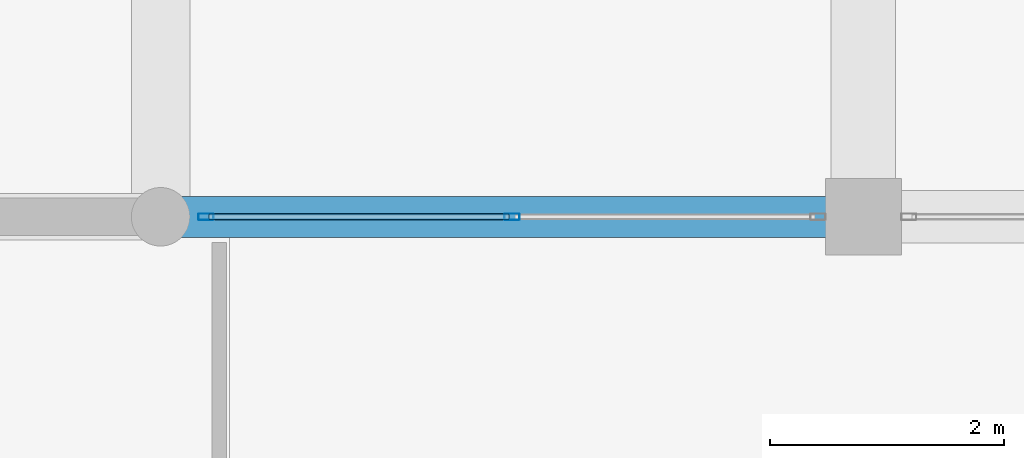
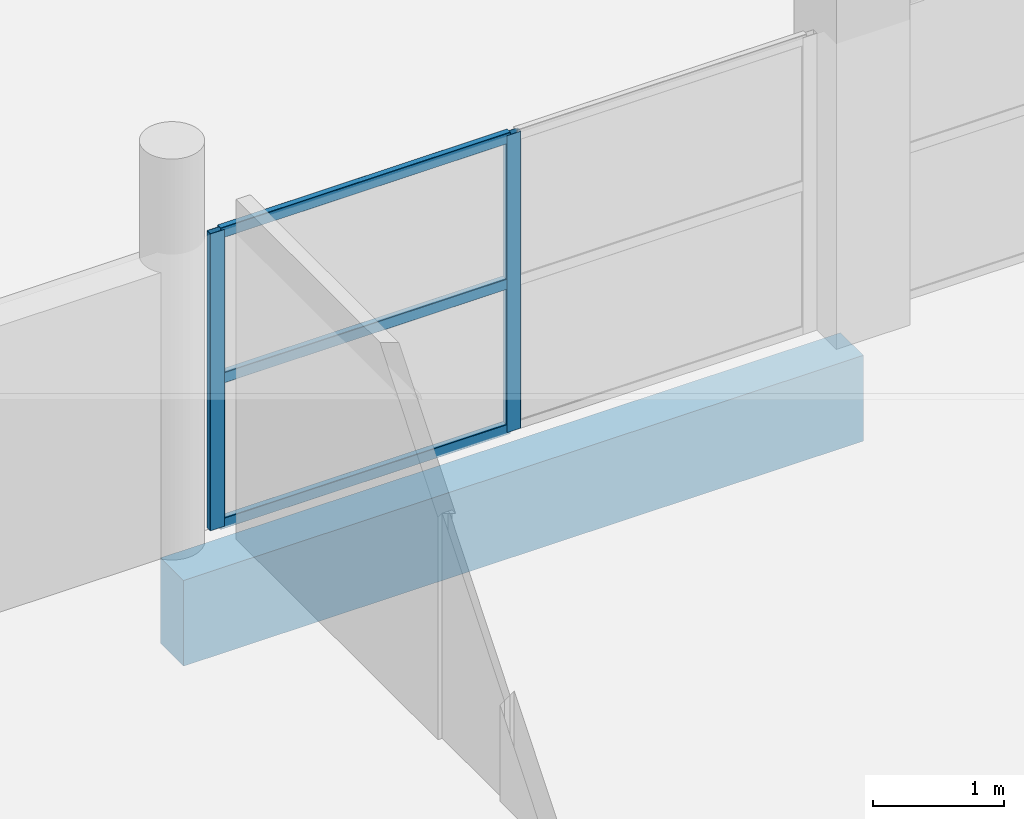
# One storey, part 2 of 19: 5 members, 1 beam, 1 element without a shape of its own.
"""IFC4 building model written with IfcOpenShell, lengths in metres."""

import ifcopenshell
import ifcopenshell.guid

model = None  # the IFC model being written
_history = None  # IfcOwnerHistory: only IFC2X3 demands one
_inside = {}  # id of a spatial element -> (the spatial element, [elements in it])
_under = {}  # id of a project, library or spatial element -> (it, [spatial elements below it])
_declared = {}  # id of a project -> (the project, [libraries it declares])
_typed = {}  # id of a type object -> (the type object, [elements of that type])
_made_of = {}  # id of a material, layer set ... -> (it, [elements and type objects made of it])


def new_model(schema):
    """Start an empty IFC model of exactly this schema.

    Asked for "IFC4X3", IfcOpenShell would pick the latest addendum, in which some entities
    have other attributes; the version numbers below select the first issue.
    IFC2X3 requires an IfcOwnerHistory on every rooted entity: one is made here for all.
    """
    global model, _history
    if schema == "IFC4X3":
        model = ifcopenshell.file(schema_version=(4, 3, 0, 0))
    else:
        model = ifcopenshell.file(schema=schema)
    _inside.clear()
    _under.clear()
    _declared.clear()
    _typed.clear()
    _made_of.clear()
    _history = None
    if model.schema == "IFC2X3":
        org = make("IfcOrganization", Name="unknown")
        user = make(
            "IfcPersonAndOrganization",
            ThePerson=make("IfcPerson", FamilyName="unknown"),
            TheOrganization=org,
        )
        app = make(
            "IfcApplication",
            ApplicationDeveloper=org,
            Version="unknown",
            ApplicationFullName="unknown",
            ApplicationIdentifier="unknown",
        )
        _history = make(
            "IfcOwnerHistory",
            OwningUser=user,
            OwningApplication=app,
            ChangeAction="ADDED",
            CreationDate=0,
        )
    return model


def make(cls, **values):
    """One entity of the class cls with the attributes given. An attribute that is None is left unset."""
    return model.create_entity(
        cls, **{name: value for name, value in values.items() if value is not None}
    )


def rooted(cls, **values):
    """An entity with a GlobalId (a new one), such as an element, a storey or a relation."""
    return make(cls, GlobalId=ifcopenshell.guid.new(), OwnerHistory=_history, **values)


def si_unit(unit_type, name, prefix=None):
    """IfcSIUnit, for example si_unit("LENGTHUNIT", "METRE", prefix="MILLI")."""
    return make("IfcSIUnit", UnitType=unit_type, Prefix=prefix, Name=name)


def assignment(units):
    """IfcUnitAssignment: the units of a project."""
    return None if units is None else make("IfcUnitAssignment", Units=units)


def point(xyz):
    """IfcCartesianPoint."""
    return None if xyz is None else make("IfcCartesianPoint", Coordinates=xyz)


def direction(xyz):
    """IfcDirection."""
    return None if xyz is None else make("IfcDirection", DirectionRatios=xyz)


def frame(location, z_axis=None, x_axis=None):
    """IfcAxis2Placement3D, a coordinate frame: its origin and axes. An axis left out is left unset."""
    return make(
        "IfcAxis2Placement3D",
        Location=point(location),
        Axis=direction(z_axis),
        RefDirection=direction(x_axis),
    )


def frame_2d(location, x_axis=None):
    """IfcAxis2Placement2D, a coordinate frame in the plane: its origin and x axis."""
    return make(
        "IfcAxis2Placement2D", Location=point(location), RefDirection=direction(x_axis)
    )


def origin():
    """The frame at (0, 0, 0) with its axes left unset."""
    return frame((0.0, 0.0, 0.0))


def origin_2d():
    """The frame at (0, 0) in the plane with its x axis left unset."""
    return frame_2d((0.0, 0.0))


def place(relative_to, where):
    """IfcLocalPlacement: puts the frame where relative to a parent placement (None: the world)."""
    return make(
        "IfcLocalPlacement", PlacementRelTo=relative_to, RelativePlacement=where
    )


def context(
    kind, dimensions, precision=None, world=None, true_north=None, identifier=None
):
    """IfcGeometricRepresentationContext, for example the 3D "Model" context."""
    return make(
        "IfcGeometricRepresentationContext",
        ContextIdentifier=identifier,
        ContextType=kind,
        CoordinateSpaceDimension=dimensions,
        Precision=precision,
        WorldCoordinateSystem=world,
        TrueNorth=true_north,
    )


def subcontext(parent, identifier, kind, view, scale=None):
    """IfcGeometricRepresentationSubContext, for example "Body" below "Model"."""
    return make(
        "IfcGeometricRepresentationSubContext",
        ContextIdentifier=identifier,
        ContextType=kind,
        ParentContext=parent,
        TargetScale=scale,
        TargetView=view,
    )


def project(units=None, contexts=None):
    """IfcProject with its units and contexts."""
    return rooted(
        "IfcProject",
        Name="project",
        RepresentationContexts=contexts,
        UnitsInContext=assignment(units),
    )


def spatial(cls, under=None, at=None, **own):
    """A site, building, storey or space (cls), placed at a placement, below another one or the project."""
    s = rooted(cls, ObjectPlacement=at, **own)
    if under is not None:
        _under.setdefault(under.id(), (under, []))[1].append(s)
    return s


def profile(cls, at=None, kind="AREA", **sizes):
    """A parametric profile (cls). Its sizes go by their IFC names, for example OverallWidth=200.0."""
    return make(cls, ProfileType=kind, Position=at, **sizes)


def rectangle(**sizes):
    """IfcRectangleProfileDef."""
    return profile("IfcRectangleProfileDef", **sizes)


def hollow_rectangle(**sizes):
    """IfcRectangleHollowProfileDef."""
    return profile("IfcRectangleHollowProfileDef", **sizes)


def extrude(swept, where, along, depth):
    """IfcExtrudedAreaSolid: the profile swept, set in the frame where, extruded along a direction by depth."""
    return make(
        "IfcExtrudedAreaSolid",
        SweptArea=swept,
        Position=where,
        ExtrudedDirection=direction(along),
        Depth=depth,
    )


def shape(context_of_items, identifier, shape_type, items):
    """IfcShapeRepresentation: the items that make up one representation, for example the "Body"."""
    return make(
        "IfcShapeRepresentation",
        ContextOfItems=context_of_items,
        RepresentationIdentifier=identifier,
        RepresentationType=shape_type,
        Items=items,
    )


def material(Name=None, Category=None):
    """IfcMaterial."""
    return make("IfcMaterial", Name=Name, Category=Category)


def layer(
    of_material, thickness, ventilated=None, Name=None, Category=None, Priority=None
):
    """IfcMaterialLayer: one layer of a wall or slab, of a material (None: an air gap)."""
    return make(
        "IfcMaterialLayer",
        Material=of_material,
        LayerThickness=thickness,
        IsVentilated=ventilated,
        Name=Name,
        Category=Category,
        Priority=Priority,
    )


def layer_set(layers, Name=None):
    """IfcMaterialLayerSet."""
    return make("IfcMaterialLayerSet", MaterialLayers=layers, LayerSetName=Name)


def material_profile(
    of_material, cross_section, Name=None, Category=None, Priority=None
):
    """IfcMaterialProfile: a cross section and its material."""
    return make(
        "IfcMaterialProfile",
        Name=Name,
        Material=of_material,
        Profile=cross_section,
        Priority=Priority,
        Category=Category,
    )


def profile_set(profiles, Name=None, composite=None):
    """IfcMaterialProfileSet."""
    return make(
        "IfcMaterialProfileSet",
        Name=Name,
        MaterialProfiles=profiles,
        CompositeProfile=composite,
    )


def made_of(thing, what):
    """Note that an element or type object is made of a material, layer set ...; save() writes the relation."""
    if what is not None:
        _made_of.setdefault(what.id(), (what, []))[1].append(thing)
    return thing


def type_object(cls, material=None, **own):
    """A type object (cls), such as IfcWallType, which elements share."""
    return made_of(rooted(cls, **own), material)


def element(
    cls,
    number,
    at=None,
    inside=None,
    cuts=None,
    type_object=None,
    material=None,
    context=None,
    identifier="Body",
    shape_type=None,
    held_by="IfcProductDefinitionShape",
    body=None,
    shapes=None,
    **own,
):
    """One element of the class cls, such as IfcWall. Its Tag is "e" and its number.

    at: its placement. inside: the storey or other place that contains it. cuts: it is an
    opening in that element (IfcRelVoidsElement). A single representation is given by context,
    identifier, shape_type and body (its items); several are given by shapes. held_by: the class
    of the entity that holds the representations. save() writes the other relations.
    """
    e = rooted(cls, Tag="e%d" % number, ObjectPlacement=at, **own)
    if body is not None:
        shapes = [shape(context, identifier, shape_type, body)]
    if shapes is not None:
        e.Representation = make(held_by, Representations=shapes)
    if inside is not None:
        _inside.setdefault(inside.id(), (inside, []))[1].append(e)
    if cuts is not None:
        rooted(
            "IfcRelVoidsElement", RelatingBuildingElement=cuts, RelatedOpeningElement=e
        )
    if type_object is not None:
        _typed.setdefault(type_object.id(), (type_object, []))[1].append(e)
    return made_of(e, material)


def aggregate(whole, parts):
    """IfcRelAggregates: a whole, such as a stair, and the parts it consists of."""
    return rooted("IfcRelAggregates", RelatingObject=whole, RelatedObjects=parts)


def save(model, path):
    """Write the relations noted so far, then the file.

    IfcRelAggregates (storeys below a building ...), IfcRelContainedInSpatialStructure (elements
    in a storey), IfcRelDefinesByType, IfcRelAssociatesMaterial and IfcRelDeclares: one each for
    every whole, place, type object, material and project.
    """
    for whole, parts in _under.values():
        aggregate(whole, parts)
    for where, things in _inside.values():
        rooted(
            "IfcRelContainedInSpatialStructure",
            RelatedElements=things,
            RelatingStructure=where,
        )
    for kind, things in _typed.values():
        rooted("IfcRelDefinesByType", RelatedObjects=things, RelatingType=kind)
    for what, things in _made_of.values():
        rooted("IfcRelAssociatesMaterial", RelatedObjects=things, RelatingMaterial=what)
    for by, libraries in _declared.values():
        rooted("IfcRelDeclares", RelatingContext=by, RelatedDefinitions=libraries)
    model.write(path)


model = new_model("IFC4")

# Units and contexts
model_context = context("Model", 3, precision=1e-05, world=origin(), true_north=direction((0.0, 1.0)))
body_context = subcontext(model_context, "Body", "Model", "MODEL_VIEW")
ifc_project = project(units=[si_unit("LENGTHUNIT", "METRE"), si_unit("AREAUNIT", "SQUARE_METRE"), si_unit("VOLUMEUNIT", "CUBIC_METRE"), si_unit("PLANEANGLEUNIT", "RADIAN"), si_unit("MASSUNIT", "GRAM", prefix="KILO")], contexts=[model_context])

# Site, building, storey
site_placement = place(None, origin())
site = spatial("IfcSite", under=ifc_project, at=site_placement, CompositionType="ELEMENT")
building_placement = place(site_placement, origin())
building = spatial("IfcBuilding", under=site, at=building_placement, Name="Dunvalen Ferry Terminal", CompositionType="ELEMENT")
storey_placement = place(building_placement, frame((0.0, 0.0, 13.580078125)))
storey = spatial("IfcBuildingStorey", under=building, at=storey_placement, Name="L03", CompositionType="ELEMENT", Elevation=13.580078125)

# Curtain wall, members
ifc_material_1 = material(Name="Anodised marine aluminium and solar-control glazing", Category="aluminium")
ifc_layer = layer(ifc_material_1, 0.14990234375, Name="Anodised marine aluminium and solar-control glazing")
ifc_layer_set = layer_set([ifc_layer], Name="Anodised marine aluminium and solar-control glazing")
curtain_wall_type = type_object("IfcCurtainWallType", Name="ENV-CW-SYS-11", PredefinedType="NOTDEFINED", material=ifc_layer_set)
curtain_wall_placement = place(storey_placement, origin())
curtain_wall = element("IfcCurtainWall", 1, at=curtain_wall_placement, inside=storey, type_object=curtain_wall_type, Name="L03 Curtain Wall CW-V5CORE-L03-7-5", PredefinedType="NOTDEFINED")
ifc_material_2 = material(Name="Anodised marine aluminium EN AW-6063 T6", Category="aluminium")
ifc_material_profile_1 = material_profile(ifc_material_2, hollow_rectangle(XDim=0.054931640625, YDim=0.1298828125, WallThickness=0.003173828125, InnerFilletRadius=0.003173828125, OuterFilletRadius=0.00634765625, at=origin_2d()), Name="Anodised marine aluminium EN AW-6063 T6")
ifc_profile_set_1 = profile_set([ifc_material_profile_1], Name="Anodised marine aluminium EN AW-6063 T6")
member_type_1 = type_object("IfcMemberType", Name="ENV-CW-MUL-4", PredefinedType="MULLION", material=ifc_profile_set_1)
member_1_placement = place(storey_placement, frame((27.0, 28.800048828125, 0.0), z_axis=(0.0, 0.0, 1.0), x_axis=(0.0, -1.0, 0.0)))
member_1 = element("IfcMember", 2, at=member_1_placement, type_object=member_type_1, Name="CW-11 mullion 2", PredefinedType="MULLION", context=body_context, shape_type="SweptSolid", body=[
    extrude(hollow_rectangle(XDim=0.054931640625, YDim=0.1298828125, WallThickness=0.003173828125, InnerFilletRadius=0.003173828125, OuterFilletRadius=0.00634765625, at=origin_2d()), origin(), (0.0, 0.0, 1.0), 2.77001953125),
])
member_2_placement = place(storey_placement, frame((24.387451171875, 28.800048828125, 0.0), z_axis=(0.0, 0.0, 1.0), x_axis=(0.0, -1.0, 0.0)))
member_2 = element("IfcMember", 3, at=member_2_placement, type_object=member_type_1, Name="CW-11 mullion 3", PredefinedType="MULLION", context=body_context, shape_type="SweptSolid", body=[
    extrude(hollow_rectangle(XDim=0.054931640625, YDim=0.1298828125, WallThickness=0.003173828125, InnerFilletRadius=0.003173828125, OuterFilletRadius=0.00634765625, at=origin_2d()), origin(), (0.0, 0.0, 1.0), 2.77001953125),
])
ifc_material_profile_2 = material_profile(ifc_material_2, hollow_rectangle(XDim=0.054931640625, YDim=0.10009765625, WallThickness=0.0029296875, InnerFilletRadius=0.0029296875, OuterFilletRadius=0.006103515625, at=origin_2d()), Name="Anodised marine aluminium EN AW-6063 T6")
ifc_profile_set_2 = profile_set([ifc_material_profile_2], Name="Anodised marine aluminium EN AW-6063 T6")
member_type_2 = type_object("IfcMemberType", Name="ENV-CW-TRN-4", PredefinedType="USERDEFINED", material=ifc_profile_set_2)
member_3_placement = place(storey_placement, frame((26.972412109375, 28.800048828125, 0.02734375), z_axis=(-1.0, 0.0, 0.0), x_axis=(0.0, -1.0, 0.0)))
member_3 = element("IfcMember", 4, at=member_3_placement, type_object=member_type_2, Name="CW-11 transom 2.1", ObjectType="TRANSOM", PredefinedType="USERDEFINED", context=body_context, shape_type="SweptSolid", body=[
    extrude(hollow_rectangle(XDim=0.054931640625, YDim=0.10009765625, WallThickness=0.0029296875, InnerFilletRadius=0.0029296875, OuterFilletRadius=0.006103515625, at=origin_2d()), origin(), (0.0, 0.0, 1.0), 2.557373046875),
])
member_4_placement = place(storey_placement, frame((26.972412109375, 28.800048828125, 1.385009765625), z_axis=(-1.0, 0.0, 0.0), x_axis=(0.0, -1.0, 0.0)))
member_4 = element("IfcMember", 5, at=member_4_placement, type_object=member_type_2, Name="CW-11 transom 2.2", ObjectType="TRANSOM", PredefinedType="USERDEFINED", context=body_context, shape_type="SweptSolid", body=[
    extrude(hollow_rectangle(XDim=0.054931640625, YDim=0.10009765625, WallThickness=0.0029296875, InnerFilletRadius=0.0029296875, OuterFilletRadius=0.006103515625, at=origin_2d()), origin(), (0.0, 0.0, 1.0), 2.557373046875),
])
member_5_placement = place(storey_placement, frame((26.972412109375, 28.800048828125, 2.742431640625), z_axis=(-1.0, 0.0, 0.0), x_axis=(0.0, -1.0, 0.0)))
member_5 = element("IfcMember", 6, at=member_5_placement, type_object=member_type_2, Name="CW-11 transom 2.3", ObjectType="TRANSOM", PredefinedType="USERDEFINED", context=body_context, shape_type="SweptSolid", body=[
    extrude(hollow_rectangle(XDim=0.054931640625, YDim=0.10009765625, WallThickness=0.0029296875, InnerFilletRadius=0.0029296875, OuterFilletRadius=0.006103515625, at=origin_2d()), origin(), (0.0, 0.0, 1.0), 2.557373046875),
])
aggregate(curtain_wall, [member_1, member_2, member_3, member_4, member_5])

# Beam
ifc_material_3 = material(Name="Concrete C40/50", Category="concrete")
ifc_material_profile_3 = material_profile(ifc_material_3, rectangle(XDim=0.35009765625, YDim=0.800048828125, at=origin_2d()), Name="Concrete C40/50")
ifc_profile_set_3 = profile_set([ifc_material_profile_3], Name="Concrete C40/50")
beam_type = type_object("IfcBeamType", Name="STR-BM-RCSP800", PredefinedType="SPANDREL", material=ifc_profile_set_3)
beam_placement = place(storey_placement, frame((24.0, 28.800048828125, -0.66015625), z_axis=(1.0, 0.0, 0.0), x_axis=(0.0, 1.0, 0.0)))
element("IfcBeam", 7, at=beam_placement, inside=storey, type_object=beam_type, Name="L03 V5P0 Primary Beam X-027", PredefinedType="SPANDREL", context=body_context, shape_type="SweptSolid", body=[
    extrude(rectangle(XDim=0.35009765625, YDim=0.800048828125, at=origin_2d()), origin(), (0.0, 0.0, 1.0), 6.0),
])

save(model, "model.ifc")
